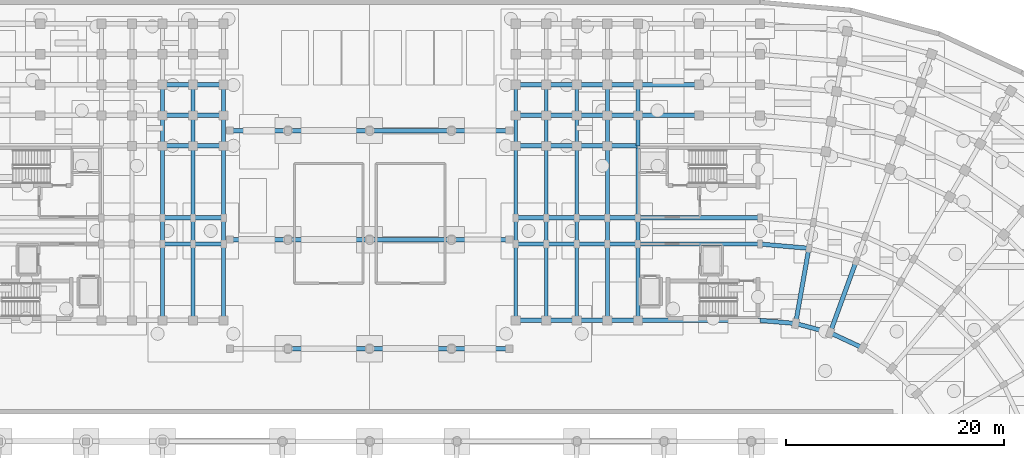
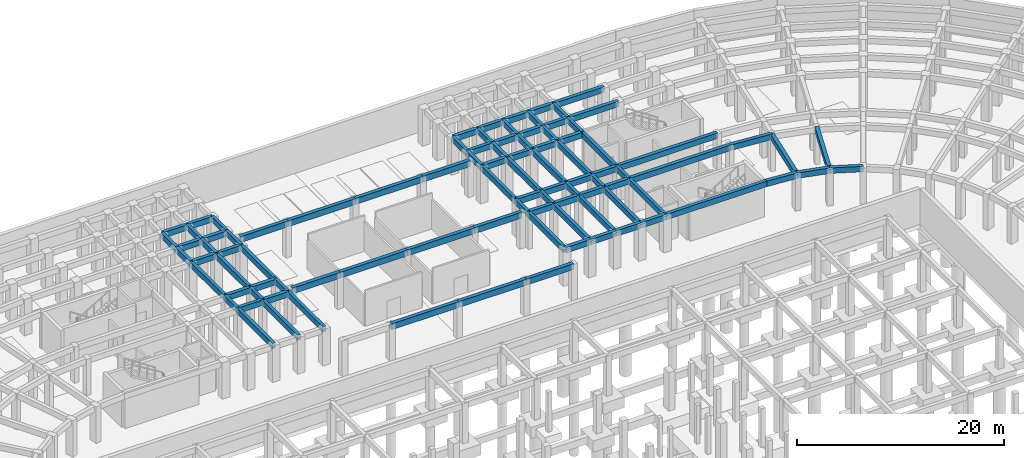
# One storey, part 25 of 53: 96 beams.
"""IFC4 building model written with IfcOpenShell, lengths in metres."""

from ifc_helpers import new_model, si_unit, direction, frame, origin, origin_2d, place, context, subcontext, project, spatial, rectangle, extrude, material, material_profile, profile_set, type_object, element, save


model = new_model("IFC4")

# Units and contexts
model_context = context("Model", 3, precision=1e-05, world=origin(), true_north=direction((0.0, 1.0)))
body_context = subcontext(model_context, "Body", "Model", "MODEL_VIEW")
ifc_project = project(units=[si_unit("LENGTHUNIT", "METRE"), si_unit("AREAUNIT", "SQUARE_METRE"), si_unit("VOLUMEUNIT", "CUBIC_METRE"), si_unit("PLANEANGLEUNIT", "RADIAN"), si_unit("MASSUNIT", "GRAM", prefix="KILO")], contexts=[model_context])

# Site, building, storey
site_placement = place(None, origin())
site = spatial("IfcSite", under=ifc_project, at=site_placement, CompositionType="ELEMENT")
building_placement = place(site_placement, origin())
building = spatial("IfcBuilding", under=site, at=building_placement, Name="Kiranvali Square Residences", CompositionType="ELEMENT")
storey_placement = place(building_placement, frame((0.0, 0.0, -4.5)))
storey = spatial("IfcBuildingStorey", under=building, at=storey_placement, Name="B1", CompositionType="ELEMENT", Elevation=-4.5)

# Beams
ifc_material_1 = material(Name="Concrete M40 (40 MPa)", Category="concrete")
ifc_material_profile_1 = material_profile(ifc_material_1, rectangle(XDim=0.35009765625, YDim=0.64990234375, at=origin_2d()), Name="RC 350x650")
ifc_profile_set_1 = profile_set([ifc_material_profile_1], Name="Concrete M40 (40 MPa)")
beam_type_1 = type_object("IfcBeamType", Name="BM-M40-350x650", PredefinedType="BEAM", material=ifc_profile_set_1)
beam_1_placement = place(storey_placement, frame((65.0, 106.60009765625, 3.955078125), z_axis=(0.0, 1.0, 0.0), x_axis=(-1.0, 0.0, 0.0)))
element("IfcBeam", 1, at=beam_1_placement, inside=storey, type_object=beam_type_1, Name="B1 beam BM-A-B1-A1T3-01", PredefinedType="BEAM", context=body_context, shape_type="SweptSolid", body=[
    extrude(rectangle(XDim=0.35009765625, YDim=0.64990234375, at=origin_2d()), origin(), (0.0, 0.0, 1.0), 7.0),
])
beam_2_placement = place(storey_placement, frame((65.0, 113.60009765625, 3.955078125), z_axis=(0.0, 1.0, 0.0), x_axis=(-1.0, 0.0, 0.0)))
element("IfcBeam", 2, at=beam_2_placement, inside=storey, type_object=beam_type_1, Name="B1 beam BM-A-B1-A1T3-12", PredefinedType="BEAM", context=body_context, shape_type="SweptSolid", body=[
    extrude(rectangle(XDim=0.35009765625, YDim=0.64990234375, at=origin_2d()), origin(), (0.0, 0.0, 1.0), 2.39990234375),
])
beam_3_placement = place(storey_placement, frame((65.0, 116.0, 3.955078125), z_axis=(0.0, 1.0, 0.0), x_axis=(-1.0, 0.0, 0.0)))
element("IfcBeam", 3, at=beam_3_placement, inside=storey, type_object=beam_type_1, Name="B1 beam BM-A-B1-A1T3-23", PredefinedType="BEAM", context=body_context, shape_type="SweptSolid", body=[
    extrude(rectangle(XDim=0.35009765625, YDim=0.64990234375, at=origin_2d()), origin(), (0.0, 0.0, 1.0), 6.60009765625),
])
beam_4_placement = place(storey_placement, frame((65.0, 122.60009765625, 3.955078125), z_axis=(0.0, 1.0, 0.0), x_axis=(-1.0, 0.0, 0.0)))
element("IfcBeam", 4, at=beam_4_placement, inside=storey, type_object=beam_type_1, Name="B1 beam BM-A-B1-A1T3-34", PredefinedType="BEAM", context=body_context, shape_type="SweptSolid", body=[
    extrude(rectangle(XDim=0.35009765625, YDim=0.64990234375, at=origin_2d()), origin(), (0.0, 0.0, 1.0), 2.7998046875),
])
beam_5_placement = place(storey_placement, frame((65.0, 125.39990234375, 3.955078125), z_axis=(0.0, 1.0, 0.0), x_axis=(-1.0, 0.0, 0.0)))
element("IfcBeam", 5, at=beam_5_placement, inside=storey, type_object=beam_type_1, Name="B1 beam BM-A-B1-A1T3-45", PredefinedType="BEAM", context=body_context, shape_type="SweptSolid", body=[
    extrude(rectangle(XDim=0.35009765625, YDim=0.64990234375, at=origin_2d()), origin(), (0.0, 0.0, 1.0), 2.800048828125),
])
beam_6_placement = place(storey_placement, frame((67.800048828125, 106.60009765625, 3.955078125), z_axis=(0.0, 1.0, 0.0), x_axis=(-1.0, 0.0, 0.0)))
element("IfcBeam", 6, at=beam_6_placement, inside=storey, type_object=beam_type_1, Name="B1 beam BM-A-B1-A1T4-01", PredefinedType="BEAM", context=body_context, shape_type="SweptSolid", body=[
    extrude(rectangle(XDim=0.35009765625, YDim=0.64990234375, at=origin_2d()), origin(), (0.0, 0.0, 1.0), 7.0),
])
beam_7_placement = place(storey_placement, frame((67.800048828125, 113.60009765625, 3.955078125), z_axis=(0.0, 1.0, 0.0), x_axis=(-1.0, 0.0, 0.0)))
element("IfcBeam", 7, at=beam_7_placement, inside=storey, type_object=beam_type_1, Name="B1 beam BM-A-B1-A1T4-12", PredefinedType="BEAM", context=body_context, shape_type="SweptSolid", body=[
    extrude(rectangle(XDim=0.35009765625, YDim=0.64990234375, at=origin_2d()), origin(), (0.0, 0.0, 1.0), 2.39990234375),
])
beam_8_placement = place(storey_placement, frame((67.800048828125, 116.0, 3.955078125), z_axis=(0.0, 1.0, 0.0), x_axis=(-1.0, 0.0, 0.0)))
element("IfcBeam", 8, at=beam_8_placement, inside=storey, type_object=beam_type_1, Name="B1 beam BM-A-B1-A1T4-23", PredefinedType="BEAM", context=body_context, shape_type="SweptSolid", body=[
    extrude(rectangle(XDim=0.35009765625, YDim=0.64990234375, at=origin_2d()), origin(), (0.0, 0.0, 1.0), 6.60009765625),
])
beam_9_placement = place(storey_placement, frame((67.800048828125, 122.60009765625, 3.955078125), z_axis=(0.0, 1.0, 0.0), x_axis=(-1.0, 0.0, 0.0)))
element("IfcBeam", 9, at=beam_9_placement, inside=storey, type_object=beam_type_1, Name="B1 beam BM-A-B1-A1T4-34", PredefinedType="BEAM", context=body_context, shape_type="SweptSolid", body=[
    extrude(rectangle(XDim=0.35009765625, YDim=0.64990234375, at=origin_2d()), origin(), (0.0, 0.0, 1.0), 2.7998046875),
])
beam_10_placement = place(storey_placement, frame((67.800048828125, 125.39990234375, 3.955078125), z_axis=(0.0, 1.0, 0.0), x_axis=(-1.0, 0.0, 0.0)))
element("IfcBeam", 10, at=beam_10_placement, inside=storey, type_object=beam_type_1, Name="B1 beam BM-A-B1-A1T4-45", PredefinedType="BEAM", context=body_context, shape_type="SweptSolid", body=[
    extrude(rectangle(XDim=0.35009765625, YDim=0.64990234375, at=origin_2d()), origin(), (0.0, 0.0, 1.0), 2.800048828125),
])
beam_11_placement = place(storey_placement, frame((70.60009765625, 106.60009765625, 3.955078125), z_axis=(0.0, 1.0, 0.0), x_axis=(-1.0, 0.0, 0.0)))
element("IfcBeam", 11, at=beam_11_placement, inside=storey, type_object=beam_type_1, Name="B1 beam BM-A-B1-A1T5-01", PredefinedType="BEAM", context=body_context, shape_type="SweptSolid", body=[
    extrude(rectangle(XDim=0.35009765625, YDim=0.64990234375, at=origin_2d()), origin(), (0.0, 0.0, 1.0), 7.0),
])
beam_12_placement = place(storey_placement, frame((70.60009765625, 113.60009765625, 3.955078125), z_axis=(0.0, 1.0, 0.0), x_axis=(-1.0, 0.0, 0.0)))
element("IfcBeam", 12, at=beam_12_placement, inside=storey, type_object=beam_type_1, Name="B1 beam BM-A-B1-A1T5-12", PredefinedType="BEAM", context=body_context, shape_type="SweptSolid", body=[
    extrude(rectangle(XDim=0.35009765625, YDim=0.64990234375, at=origin_2d()), origin(), (0.0, 0.0, 1.0), 2.39990234375),
])
beam_13_placement = place(storey_placement, frame((70.60009765625, 116.0, 3.955078125), z_axis=(0.0, 1.0, 0.0), x_axis=(-1.0, 0.0, 0.0)))
element("IfcBeam", 13, at=beam_13_placement, inside=storey, type_object=beam_type_1, Name="B1 beam BM-A-B1-A1T5-23", PredefinedType="BEAM", context=body_context, shape_type="SweptSolid", body=[
    extrude(rectangle(XDim=0.35009765625, YDim=0.64990234375, at=origin_2d()), origin(), (0.0, 0.0, 1.0), 6.60009765625),
])
beam_14_placement = place(storey_placement, frame((70.60009765625, 122.60009765625, 3.955078125), z_axis=(0.0, 1.0, 0.0), x_axis=(-1.0, 0.0, 0.0)))
element("IfcBeam", 14, at=beam_14_placement, inside=storey, type_object=beam_type_1, Name="B1 beam BM-A-B1-A1T5-34", PredefinedType="BEAM", context=body_context, shape_type="SweptSolid", body=[
    extrude(rectangle(XDim=0.35009765625, YDim=0.64990234375, at=origin_2d()), origin(), (0.0, 0.0, 1.0), 2.7998046875),
])
beam_15_placement = place(storey_placement, frame((70.60009765625, 125.39990234375, 3.955078125), z_axis=(0.0, 1.0, 0.0), x_axis=(-1.0, 0.0, 0.0)))
element("IfcBeam", 15, at=beam_15_placement, inside=storey, type_object=beam_type_1, Name="B1 beam BM-A-B1-A1T5-45", PredefinedType="BEAM", context=body_context, shape_type="SweptSolid", body=[
    extrude(rectangle(XDim=0.35009765625, YDim=0.64990234375, at=origin_2d()), origin(), (0.0, 0.0, 1.0), 2.800048828125),
])
beam_16_placement = place(storey_placement, frame((108.60009765625, 106.60009765625, 3.955078125), z_axis=(0.0, 1.0, 0.0), x_axis=(-1.0, 0.0, 0.0)))
element("IfcBeam", 16, at=beam_16_placement, inside=storey, type_object=beam_type_1, Name="B1 beam BM-B-B1-A1T1-01", PredefinedType="BEAM", context=body_context, shape_type="SweptSolid", body=[
    extrude(rectangle(XDim=0.35009765625, YDim=0.64990234375, at=origin_2d()), origin(), (0.0, 0.0, 1.0), 7.0),
])
beam_17_placement = place(storey_placement, frame((108.60009765625, 113.60009765625, 3.955078125), z_axis=(0.0, 1.0, 0.0), x_axis=(-1.0, 0.0, 0.0)))
element("IfcBeam", 17, at=beam_17_placement, inside=storey, type_object=beam_type_1, Name="B1 beam BM-B-B1-A1T1-12", PredefinedType="BEAM", context=body_context, shape_type="SweptSolid", body=[
    extrude(rectangle(XDim=0.35009765625, YDim=0.64990234375, at=origin_2d()), origin(), (0.0, 0.0, 1.0), 2.39990234375),
])
beam_18_placement = place(storey_placement, frame((108.60009765625, 116.0, 3.955078125), z_axis=(0.0, 1.0, 0.0), x_axis=(-1.0, 0.0, 0.0)))
element("IfcBeam", 18, at=beam_18_placement, inside=storey, type_object=beam_type_1, Name="B1 beam BM-B-B1-A1T1-23", PredefinedType="BEAM", context=body_context, shape_type="SweptSolid", body=[
    extrude(rectangle(XDim=0.35009765625, YDim=0.64990234375, at=origin_2d()), origin(), (0.0, 0.0, 1.0), 6.60009765625),
])
beam_19_placement = place(storey_placement, frame((108.60009765625, 122.60009765625, 3.955078125), z_axis=(0.0, 1.0, 0.0), x_axis=(-1.0, 0.0, 0.0)))
element("IfcBeam", 19, at=beam_19_placement, inside=storey, type_object=beam_type_1, Name="B1 beam BM-B-B1-A1T1-34", PredefinedType="BEAM", context=body_context, shape_type="SweptSolid", body=[
    extrude(rectangle(XDim=0.35009765625, YDim=0.64990234375, at=origin_2d()), origin(), (0.0, 0.0, 1.0), 2.7998046875),
])
beam_20_placement = place(storey_placement, frame((108.60009765625, 125.39990234375, 3.955078125), z_axis=(0.0, 1.0, 0.0), x_axis=(-1.0, 0.0, 0.0)))
element("IfcBeam", 20, at=beam_20_placement, inside=storey, type_object=beam_type_1, Name="B1 beam BM-B-B1-A1T1-45", PredefinedType="BEAM", context=body_context, shape_type="SweptSolid", body=[
    extrude(rectangle(XDim=0.35009765625, YDim=0.64990234375, at=origin_2d()), origin(), (0.0, 0.0, 1.0), 2.800048828125),
])
beam_21_placement = place(storey_placement, frame((105.800048828125, 106.60009765625, 3.955078125), z_axis=(0.0, 1.0, 0.0), x_axis=(-1.0, 0.0, 0.0)))
element("IfcBeam", 21, at=beam_21_placement, inside=storey, type_object=beam_type_1, Name="B1 beam BM-B-B1-A1T2-01", PredefinedType="BEAM", context=body_context, shape_type="SweptSolid", body=[
    extrude(rectangle(XDim=0.35009765625, YDim=0.64990234375, at=origin_2d()), origin(), (0.0, 0.0, 1.0), 7.0),
])
beam_22_placement = place(storey_placement, frame((105.800048828125, 113.60009765625, 3.955078125), z_axis=(0.0, 1.0, 0.0), x_axis=(-1.0, 0.0, 0.0)))
element("IfcBeam", 22, at=beam_22_placement, inside=storey, type_object=beam_type_1, Name="B1 beam BM-B-B1-A1T2-12", PredefinedType="BEAM", context=body_context, shape_type="SweptSolid", body=[
    extrude(rectangle(XDim=0.35009765625, YDim=0.64990234375, at=origin_2d()), origin(), (0.0, 0.0, 1.0), 2.39990234375),
])
beam_23_placement = place(storey_placement, frame((105.800048828125, 116.0, 3.955078125), z_axis=(0.0, 1.0, 0.0), x_axis=(-1.0, 0.0, 0.0)))
element("IfcBeam", 23, at=beam_23_placement, inside=storey, type_object=beam_type_1, Name="B1 beam BM-B-B1-A1T2-23", PredefinedType="BEAM", context=body_context, shape_type="SweptSolid", body=[
    extrude(rectangle(XDim=0.35009765625, YDim=0.64990234375, at=origin_2d()), origin(), (0.0, 0.0, 1.0), 6.60009765625),
])
beam_24_placement = place(storey_placement, frame((105.800048828125, 122.60009765625, 3.955078125), z_axis=(0.0, 1.0, 0.0), x_axis=(-1.0, 0.0, 0.0)))
element("IfcBeam", 24, at=beam_24_placement, inside=storey, type_object=beam_type_1, Name="B1 beam BM-B-B1-A1T2-34", PredefinedType="BEAM", context=body_context, shape_type="SweptSolid", body=[
    extrude(rectangle(XDim=0.35009765625, YDim=0.64990234375, at=origin_2d()), origin(), (0.0, 0.0, 1.0), 2.7998046875),
])
beam_25_placement = place(storey_placement, frame((105.800048828125, 125.39990234375, 3.955078125), z_axis=(0.0, 1.0, 0.0), x_axis=(-1.0, 0.0, 0.0)))
element("IfcBeam", 25, at=beam_25_placement, inside=storey, type_object=beam_type_1, Name="B1 beam BM-B-B1-A1T2-45", PredefinedType="BEAM", context=body_context, shape_type="SweptSolid", body=[
    extrude(rectangle(XDim=0.35009765625, YDim=0.64990234375, at=origin_2d()), origin(), (0.0, 0.0, 1.0), 2.800048828125),
])
beam_26_placement = place(storey_placement, frame((103.0, 106.60009765625, 3.955078125), z_axis=(0.0, 1.0, 0.0), x_axis=(-1.0, 0.0, 0.0)))
element("IfcBeam", 26, at=beam_26_placement, inside=storey, type_object=beam_type_1, Name="B1 beam BM-B-B1-A1T3-01", PredefinedType="BEAM", context=body_context, shape_type="SweptSolid", body=[
    extrude(rectangle(XDim=0.35009765625, YDim=0.64990234375, at=origin_2d()), origin(), (0.0, 0.0, 1.0), 7.0),
])
beam_27_placement = place(storey_placement, frame((103.0, 113.60009765625, 3.955078125), z_axis=(0.0, 1.0, 0.0), x_axis=(-1.0, 0.0, 0.0)))
element("IfcBeam", 27, at=beam_27_placement, inside=storey, type_object=beam_type_1, Name="B1 beam BM-B-B1-A1T3-12", PredefinedType="BEAM", context=body_context, shape_type="SweptSolid", body=[
    extrude(rectangle(XDim=0.35009765625, YDim=0.64990234375, at=origin_2d()), origin(), (0.0, 0.0, 1.0), 2.39990234375),
])
beam_28_placement = place(storey_placement, frame((103.0, 116.0, 3.955078125), z_axis=(0.0, 1.0, 0.0), x_axis=(-1.0, 0.0, 0.0)))
element("IfcBeam", 28, at=beam_28_placement, inside=storey, type_object=beam_type_1, Name="B1 beam BM-B-B1-A1T3-23", PredefinedType="BEAM", context=body_context, shape_type="SweptSolid", body=[
    extrude(rectangle(XDim=0.35009765625, YDim=0.64990234375, at=origin_2d()), origin(), (0.0, 0.0, 1.0), 6.60009765625),
])
beam_29_placement = place(storey_placement, frame((103.0, 122.60009765625, 3.955078125), z_axis=(0.0, 1.0, 0.0), x_axis=(-1.0, 0.0, 0.0)))
element("IfcBeam", 29, at=beam_29_placement, inside=storey, type_object=beam_type_1, Name="B1 beam BM-B-B1-A1T3-34", PredefinedType="BEAM", context=body_context, shape_type="SweptSolid", body=[
    extrude(rectangle(XDim=0.35009765625, YDim=0.64990234375, at=origin_2d()), origin(), (0.0, 0.0, 1.0), 2.7998046875),
])
beam_30_placement = place(storey_placement, frame((103.0, 125.39990234375, 3.955078125), z_axis=(0.0, 1.0, 0.0), x_axis=(-1.0, 0.0, 0.0)))
element("IfcBeam", 30, at=beam_30_placement, inside=storey, type_object=beam_type_1, Name="B1 beam BM-B-B1-A1T3-45", PredefinedType="BEAM", context=body_context, shape_type="SweptSolid", body=[
    extrude(rectangle(XDim=0.35009765625, YDim=0.64990234375, at=origin_2d()), origin(), (0.0, 0.0, 1.0), 2.800048828125),
])
beam_31_placement = place(storey_placement, frame((100.199951171875, 106.60009765625, 3.955078125), z_axis=(0.0, 1.0, 0.0), x_axis=(-1.0, 0.0, 0.0)))
element("IfcBeam", 31, at=beam_31_placement, inside=storey, type_object=beam_type_1, Name="B1 beam BM-B-B1-A1T4-01", PredefinedType="BEAM", context=body_context, shape_type="SweptSolid", body=[
    extrude(rectangle(XDim=0.35009765625, YDim=0.64990234375, at=origin_2d()), origin(), (0.0, 0.0, 1.0), 7.0),
])
beam_32_placement = place(storey_placement, frame((100.199951171875, 113.60009765625, 3.955078125), z_axis=(0.0, 1.0, 0.0), x_axis=(-1.0, 0.0, 0.0)))
element("IfcBeam", 32, at=beam_32_placement, inside=storey, type_object=beam_type_1, Name="B1 beam BM-B-B1-A1T4-12", PredefinedType="BEAM", context=body_context, shape_type="SweptSolid", body=[
    extrude(rectangle(XDim=0.35009765625, YDim=0.64990234375, at=origin_2d()), origin(), (0.0, 0.0, 1.0), 2.39990234375),
])
beam_33_placement = place(storey_placement, frame((100.199951171875, 116.0, 3.955078125), z_axis=(0.0, 1.0, 0.0), x_axis=(-1.0, 0.0, 0.0)))
element("IfcBeam", 33, at=beam_33_placement, inside=storey, type_object=beam_type_1, Name="B1 beam BM-B-B1-A1T4-23", PredefinedType="BEAM", context=body_context, shape_type="SweptSolid", body=[
    extrude(rectangle(XDim=0.35009765625, YDim=0.64990234375, at=origin_2d()), origin(), (0.0, 0.0, 1.0), 6.60009765625),
])
beam_34_placement = place(storey_placement, frame((100.199951171875, 122.60009765625, 3.955078125), z_axis=(0.0, 1.0, 0.0), x_axis=(-1.0, 0.0, 0.0)))
element("IfcBeam", 34, at=beam_34_placement, inside=storey, type_object=beam_type_1, Name="B1 beam BM-B-B1-A1T4-34", PredefinedType="BEAM", context=body_context, shape_type="SweptSolid", body=[
    extrude(rectangle(XDim=0.35009765625, YDim=0.64990234375, at=origin_2d()), origin(), (0.0, 0.0, 1.0), 2.7998046875),
])
beam_35_placement = place(storey_placement, frame((100.199951171875, 125.39990234375, 3.955078125), z_axis=(0.0, 1.0, 0.0), x_axis=(-1.0, 0.0, 0.0)))
element("IfcBeam", 35, at=beam_35_placement, inside=storey, type_object=beam_type_1, Name="B1 beam BM-B-B1-A1T4-45", PredefinedType="BEAM", context=body_context, shape_type="SweptSolid", body=[
    extrude(rectangle(XDim=0.35009765625, YDim=0.64990234375, at=origin_2d()), origin(), (0.0, 0.0, 1.0), 2.800048828125),
])
beam_36_placement = place(storey_placement, frame((97.39990234375, 106.60009765625, 3.955078125), z_axis=(0.0, 1.0, 0.0), x_axis=(-1.0, 0.0, 0.0)))
element("IfcBeam", 36, at=beam_36_placement, inside=storey, type_object=beam_type_1, Name="B1 beam BM-B-B1-A1T5-01", PredefinedType="BEAM", context=body_context, shape_type="SweptSolid", body=[
    extrude(rectangle(XDim=0.35009765625, YDim=0.64990234375, at=origin_2d()), origin(), (0.0, 0.0, 1.0), 7.0),
])
beam_37_placement = place(storey_placement, frame((97.39990234375, 113.60009765625, 3.955078125), z_axis=(0.0, 1.0, 0.0), x_axis=(-1.0, 0.0, 0.0)))
element("IfcBeam", 37, at=beam_37_placement, inside=storey, type_object=beam_type_1, Name="B1 beam BM-B-B1-A1T5-12", PredefinedType="BEAM", context=body_context, shape_type="SweptSolid", body=[
    extrude(rectangle(XDim=0.35009765625, YDim=0.64990234375, at=origin_2d()), origin(), (0.0, 0.0, 1.0), 2.39990234375),
])
beam_38_placement = place(storey_placement, frame((97.39990234375, 116.0, 3.955078125), z_axis=(0.0, 1.0, 0.0), x_axis=(-1.0, 0.0, 0.0)))
element("IfcBeam", 38, at=beam_38_placement, inside=storey, type_object=beam_type_1, Name="B1 beam BM-B-B1-A1T5-23", PredefinedType="BEAM", context=body_context, shape_type="SweptSolid", body=[
    extrude(rectangle(XDim=0.35009765625, YDim=0.64990234375, at=origin_2d()), origin(), (0.0, 0.0, 1.0), 6.60009765625),
])
beam_39_placement = place(storey_placement, frame((97.39990234375, 122.60009765625, 3.955078125), z_axis=(0.0, 1.0, 0.0), x_axis=(-1.0, 0.0, 0.0)))
element("IfcBeam", 39, at=beam_39_placement, inside=storey, type_object=beam_type_1, Name="B1 beam BM-B-B1-A1T5-34", PredefinedType="BEAM", context=body_context, shape_type="SweptSolid", body=[
    extrude(rectangle(XDim=0.35009765625, YDim=0.64990234375, at=origin_2d()), origin(), (0.0, 0.0, 1.0), 2.7998046875),
])
beam_40_placement = place(storey_placement, frame((97.39990234375, 125.39990234375, 3.955078125), z_axis=(0.0, 1.0, 0.0), x_axis=(-1.0, 0.0, 0.0)))
element("IfcBeam", 40, at=beam_40_placement, inside=storey, type_object=beam_type_1, Name="B1 beam BM-B-B1-A1T5-45", PredefinedType="BEAM", context=body_context, shape_type="SweptSolid", body=[
    extrude(rectangle(XDim=0.35009765625, YDim=0.64990234375, at=origin_2d()), origin(), (0.0, 0.0, 1.0), 2.800048828125),
])
ifc_material_2 = material(Name="Concrete M45 (45 MPa)", Category="concrete")
ifc_material_profile_2 = material_profile(ifc_material_2, rectangle(XDim=0.39990234375, YDim=0.64990234375, at=origin_2d()), Name="RC 400x650")
ifc_profile_set_2 = profile_set([ifc_material_profile_2], Name="Concrete M45 (45 MPa)")
beam_type_2 = type_object("IfcBeamType", Name="BM-M45-400x650", PredefinedType="BEAM", material=ifc_profile_set_2)
for number, where, z_axis, x_axis, name in (
    (41, (65.0, 113.60009765625, 3.955078125), (1.0, 0.0, 0.0), (0.0, 1.0, 0.0), "B1 beam BM-A-B1-A1U3-R1"),
    (42, (67.800048828125, 113.60009765625, 3.955078125), (1.0, 0.0, 0.0), (0.0, 1.0, 0.0), "B1 beam BM-A-B1-A1U4-R1"),
    (43, (65.0, 116.0, 3.955078125), (1.0, 0.0, 0.0), (0.0, 1.0, 0.0), "B1 beam BM-A-B1-A1U3-R2"),
    (44, (67.800048828125, 116.0, 3.955078125), (1.0, 0.0, 0.0), (0.0, 1.0, 0.0), "B1 beam BM-A-B1-A1U4-R2"),
    (45, (65.0, 122.60009765625, 3.955078125), (1.0, 0.0, 0.0), (0.0, 1.0, 0.0), "B1 beam BM-A-B1-A1U3-R3"),
    (46, (67.800048828125, 122.60009765625, 3.955078125), (1.0, 0.0, 0.0), (0.0, 1.0, 0.0), "B1 beam BM-A-B1-A1U4-R3"),
    (47, (65.0, 125.39990234375, 3.955078125), (1.0, 0.0, 0.0), (0.0, 1.0, 0.0), "B1 beam BM-A-B1-A1U4-R4"),
    (48, (67.800048828125, 125.39990234375, 3.955078125), (1.0, 0.0, 0.0), (0.0, 1.0, 0.0), "B1 beam BM-A-B1-A1U5-R4"),
    (49, (65.0, 128.199951171875, 3.955078125), (1.0, 0.0, 0.0), (0.0, 1.0, 0.0), "B1 beam BM-A-B1-A1U4-R5"),
    (50, (67.800048828125, 128.199951171875, 3.955078125), (1.0, 0.0, 0.0), (0.0, 1.0, 0.0), "B1 beam BM-A-B1-A1U5-R5"),
):
    element("IfcBeam", number, at=place(storey_placement, frame(where, z_axis=z_axis, x_axis=x_axis)), inside=storey, type_object=beam_type_2, Name=name, PredefinedType="BEAM", context=body_context, shape_type="SweptSolid", body=[
        extrude(rectangle(XDim=0.39990234375, YDim=0.64990234375, at=origin_2d()), origin(), (0.0, 0.0, 1.0), 2.800048828125),
    ])
beam_41_placement = place(storey_placement, frame((119.800048828125, 106.60009765625, 3.955078125), z_axis=(0.996194040944, -0.087163253657, 0.0), x_axis=(0.087163253657, 0.996194040944, 0.0)))
element("IfcBeam", 51, at=beam_41_placement, inside=storey, type_object=beam_type_2, Name="B1 beam BM-B-B1-C00-R0", PredefinedType="BEAM", context=body_context, shape_type="SweptSolid", body=[
    extrude(rectangle(XDim=0.39990234375, YDim=0.64990234375, at=origin_2d()), origin(), (0.0, 0.0, 1.0), 3.277099609375),
])
beam_42_placement = place(storey_placement, frame((119.800048828125, 113.60009765625, 3.955078125), z_axis=(0.996191949488, -0.087187153726, 0.0), x_axis=(0.087187153726, 0.996191949488, 0.0)))
element("IfcBeam", 52, at=beam_42_placement, inside=storey, type_object=beam_type_2, Name="B1 beam BM-B-B1-C00-R1", PredefinedType="BEAM", context=body_context, shape_type="SweptSolid", body=[
    extrude(rectangle(XDim=0.39990234375, YDim=0.64990234375, at=origin_2d()), origin(), (0.0, 0.0, 1.0), 4.4970703125),
])
beam_43_placement = place(storey_placement, frame((123.064697265625, 106.314453125, 3.955078125), z_axis=(0.965925105099, -0.258821736607, 0.0), x_axis=(0.258821736607, 0.965925105099, 0.0)))
element("IfcBeam", 53, at=beam_43_placement, inside=storey, type_object=beam_type_2, Name="B1 beam BM-B-B1-C01-R0", PredefinedType="BEAM", context=body_context, shape_type="SweptSolid", body=[
    extrude(rectangle(XDim=0.39990234375, YDim=0.64990234375, at=origin_2d()), origin(), (0.0, 0.0, 1.0), 3.27685546875),
])
beam_44_placement = place(storey_placement, frame((126.22998046875, 105.46630859375, 3.955078125), z_axis=(0.90629730464, -0.422640740585, 0.0), x_axis=(0.422640740585, 0.90629730464, 0.0)))
element("IfcBeam", 54, at=beam_44_placement, inside=storey, type_object=beam_type_2, Name="B1 beam BM-B-B1-C02-R0", PredefinedType="BEAM", context=body_context, shape_type="SweptSolid", body=[
    extrude(rectangle(XDim=0.39990234375, YDim=0.64990234375, at=origin_2d()), origin(), (0.0, 0.0, 1.0), 3.277099609375),
])
beam_45_placement = place(storey_placement, frame((123.064697265625, 106.314453125, 3.955078125), z_axis=(0.173622177865, 0.984812337125, 0.0), x_axis=(-0.984812337125, 0.173622177865, 0.0)))
element("IfcBeam", 55, at=beam_45_placement, inside=storey, type_object=beam_type_2, Name="B1 beam BM-B-B1-RAD01-01", PredefinedType="BEAM", context=body_context, shape_type="SweptSolid", body=[
    extrude(rectangle(XDim=0.39990234375, YDim=0.64990234375, at=origin_2d()), origin(), (0.0, 0.0, 1.0), 6.999755859375),
])
beam_46_placement = place(storey_placement, frame((126.22998046875, 105.46630859375, 3.955078125), z_axis=(0.342006283793, 0.939697665127, 0.0), x_axis=(-0.939697665127, 0.342006283793, 0.0)))
element("IfcBeam", 56, at=beam_46_placement, inside=storey, type_object=beam_type_2, Name="B1 beam BM-B-B1-RAD02-01", PredefinedType="BEAM", context=body_context, shape_type="SweptSolid", body=[
    extrude(rectangle(XDim=0.39990234375, YDim=0.64990234375, at=origin_2d()), origin(), (0.0, 0.0, 1.0), 7.0),
])
beam_47_placement = place(storey_placement, frame((119.800048828125, 106.60009765625, 3.955078125), z_axis=(-1.0, 0.0, 0.0), x_axis=(0.0, -1.0, 0.0)))
element("IfcBeam", 57, at=beam_47_placement, inside=storey, type_object=beam_type_2, Name="B1 beam BM-B-B1-A1U0-R0", PredefinedType="BEAM", context=body_context, shape_type="SweptSolid", body=[
    extrude(rectangle(XDim=0.39990234375, YDim=0.64990234375, at=origin_2d()), origin(), (0.0, 0.0, 1.0), 11.199951171875),
])
for number, where, z_axis, x_axis, name in (
    (58, (108.60009765625, 106.60009765625, 3.955078125), (-1.0, 0.0, 0.0), (0.0, -1.0, 0.0), "B1 beam BM-B-B1-A1U1-R0"),
    (59, (105.800048828125, 106.60009765625, 3.955078125), (-1.0, 0.0, 0.0), (0.0, -1.0, 0.0), "B1 beam BM-B-B1-A1U2-R0"),
    (60, (103.0, 106.60009765625, 3.955078125), (-1.0, 0.0, 0.0), (0.0, -1.0, 0.0), "B1 beam BM-B-B1-A1U3-R0"),
    (61, (100.199951171875, 106.60009765625, 3.955078125), (-1.0, 0.0, 0.0), (0.0, -1.0, 0.0), "B1 beam BM-B-B1-A1U4-R0"),
):
    element("IfcBeam", number, at=place(storey_placement, frame(where, z_axis=z_axis, x_axis=x_axis)), inside=storey, type_object=beam_type_2, Name=name, PredefinedType="BEAM", context=body_context, shape_type="SweptSolid", body=[
        extrude(rectangle(XDim=0.39990234375, YDim=0.64990234375, at=origin_2d()), origin(), (0.0, 0.0, 1.0), 2.800048828125),
    ])
beam_48_placement = place(storey_placement, frame((119.800048828125, 113.60009765625, 3.955078125), z_axis=(-1.0, 0.0, 0.0), x_axis=(0.0, -1.0, 0.0)))
element("IfcBeam", 62, at=beam_48_placement, inside=storey, type_object=beam_type_2, Name="B1 beam BM-B-B1-A1U0-R1", PredefinedType="BEAM", context=body_context, shape_type="SweptSolid", body=[
    extrude(rectangle(XDim=0.39990234375, YDim=0.64990234375, at=origin_2d()), origin(), (0.0, 0.0, 1.0), 11.199951171875),
])
for number, where, z_axis, x_axis, name in (
    (63, (108.60009765625, 113.60009765625, 3.955078125), (-1.0, 0.0, 0.0), (0.0, -1.0, 0.0), "B1 beam BM-B-B1-A1U1-R1"),
    (64, (105.800048828125, 113.60009765625, 3.955078125), (-1.0, 0.0, 0.0), (0.0, -1.0, 0.0), "B1 beam BM-B-B1-A1U2-R1"),
    (65, (103.0, 113.60009765625, 3.955078125), (-1.0, 0.0, 0.0), (0.0, -1.0, 0.0), "B1 beam BM-B-B1-A1U3-R1"),
    (66, (100.199951171875, 113.60009765625, 3.955078125), (-1.0, 0.0, 0.0), (0.0, -1.0, 0.0), "B1 beam BM-B-B1-A1U4-R1"),
):
    element("IfcBeam", number, at=place(storey_placement, frame(where, z_axis=z_axis, x_axis=x_axis)), inside=storey, type_object=beam_type_2, Name=name, PredefinedType="BEAM", context=body_context, shape_type="SweptSolid", body=[
        extrude(rectangle(XDim=0.39990234375, YDim=0.64990234375, at=origin_2d()), origin(), (0.0, 0.0, 1.0), 2.800048828125),
    ])
beam_49_placement = place(storey_placement, frame((119.800048828125, 116.0, 3.955078125), z_axis=(-1.0, 0.0, 0.0), x_axis=(0.0, -1.0, 0.0)))
element("IfcBeam", 67, at=beam_49_placement, inside=storey, type_object=beam_type_2, Name="B1 beam BM-B-B1-A1U0-R2", PredefinedType="BEAM", context=body_context, shape_type="SweptSolid", body=[
    extrude(rectangle(XDim=0.39990234375, YDim=0.64990234375, at=origin_2d()), origin(), (0.0, 0.0, 1.0), 11.199951171875),
])
for number, where, z_axis, x_axis, name in (
    (68, (108.60009765625, 116.0, 3.955078125), (-1.0, 0.0, 0.0), (0.0, -1.0, 0.0), "B1 beam BM-B-B1-A1U1-R2"),
    (69, (105.800048828125, 116.0, 3.955078125), (-1.0, 0.0, 0.0), (0.0, -1.0, 0.0), "B1 beam BM-B-B1-A1U2-R2"),
    (70, (103.0, 116.0, 3.955078125), (-1.0, 0.0, 0.0), (0.0, -1.0, 0.0), "B1 beam BM-B-B1-A1U3-R2"),
    (71, (100.199951171875, 116.0, 3.955078125), (-1.0, 0.0, 0.0), (0.0, -1.0, 0.0), "B1 beam BM-B-B1-A1U4-R2"),
    (72, (108.60009765625, 122.60009765625, 3.955078125), (-1.0, 0.0, 0.0), (0.0, -1.0, 0.0), "B1 beam BM-B-B1-A1U1-R3"),
    (73, (105.800048828125, 122.60009765625, 3.955078125), (-1.0, 0.0, 0.0), (0.0, -1.0, 0.0), "B1 beam BM-B-B1-A1U2-R3"),
    (74, (103.0, 122.60009765625, 3.955078125), (-1.0, 0.0, 0.0), (0.0, -1.0, 0.0), "B1 beam BM-B-B1-A1U3-R3"),
    (75, (100.199951171875, 122.60009765625, 3.955078125), (-1.0, 0.0, 0.0), (0.0, -1.0, 0.0), "B1 beam BM-B-B1-A1U4-R3"),
):
    element("IfcBeam", number, at=place(storey_placement, frame(where, z_axis=z_axis, x_axis=x_axis)), inside=storey, type_object=beam_type_2, Name=name, PredefinedType="BEAM", context=body_context, shape_type="SweptSolid", body=[
        extrude(rectangle(XDim=0.39990234375, YDim=0.64990234375, at=origin_2d()), origin(), (0.0, 0.0, 1.0), 2.800048828125),
    ])
beam_50_placement = place(storey_placement, frame((114.199951171875, 125.39990234375, 3.955078125), z_axis=(-1.0, 0.0, 0.0), x_axis=(0.0, -1.0, 0.0)))
element("IfcBeam", 76, at=beam_50_placement, inside=storey, type_object=beam_type_2, Name="B1 beam BM-B-B1-A1U1-R4", PredefinedType="BEAM", context=body_context, shape_type="SweptSolid", body=[
    extrude(rectangle(XDim=0.39990234375, YDim=0.64990234375, at=origin_2d()), origin(), (0.0, 0.0, 1.0), 5.599853515625),
])
for number, where, z_axis, x_axis, name in (
    (77, (108.60009765625, 125.39990234375, 3.955078125), (-1.0, 0.0, 0.0), (0.0, -1.0, 0.0), "B1 beam BM-B-B1-A1U2-R4"),
    (78, (105.800048828125, 125.39990234375, 3.955078125), (-1.0, 0.0, 0.0), (0.0, -1.0, 0.0), "B1 beam BM-B-B1-A1U3-R4"),
    (79, (103.0, 125.39990234375, 3.955078125), (-1.0, 0.0, 0.0), (0.0, -1.0, 0.0), "B1 beam BM-B-B1-A1U4-R4"),
    (80, (100.199951171875, 125.39990234375, 3.955078125), (-1.0, 0.0, 0.0), (0.0, -1.0, 0.0), "B1 beam BM-B-B1-A1U5-R4"),
):
    element("IfcBeam", number, at=place(storey_placement, frame(where, z_axis=z_axis, x_axis=x_axis)), inside=storey, type_object=beam_type_2, Name=name, PredefinedType="BEAM", context=body_context, shape_type="SweptSolid", body=[
        extrude(rectangle(XDim=0.39990234375, YDim=0.64990234375, at=origin_2d()), origin(), (0.0, 0.0, 1.0), 2.800048828125),
    ])
beam_51_placement = place(storey_placement, frame((114.199951171875, 128.199951171875, 3.955078125), z_axis=(-1.0, 0.0, 0.0), x_axis=(0.0, -1.0, 0.0)))
element("IfcBeam", 81, at=beam_51_placement, inside=storey, type_object=beam_type_2, Name="B1 beam BM-B-B1-A1U1-R5", PredefinedType="BEAM", context=body_context, shape_type="SweptSolid", body=[
    extrude(rectangle(XDim=0.39990234375, YDim=0.64990234375, at=origin_2d()), origin(), (0.0, 0.0, 1.0), 5.599853515625),
])
for number, where, z_axis, x_axis, name in (
    (82, (108.60009765625, 128.199951171875, 3.955078125), (-1.0, 0.0, 0.0), (0.0, -1.0, 0.0), "B1 beam BM-B-B1-A1U2-R5"),
    (83, (105.800048828125, 128.199951171875, 3.955078125), (-1.0, 0.0, 0.0), (0.0, -1.0, 0.0), "B1 beam BM-B-B1-A1U3-R5"),
    (84, (103.0, 128.199951171875, 3.955078125), (-1.0, 0.0, 0.0), (0.0, -1.0, 0.0), "B1 beam BM-B-B1-A1U4-R5"),
    (85, (100.199951171875, 128.199951171875, 3.955078125), (-1.0, 0.0, 0.0), (0.0, -1.0, 0.0), "B1 beam BM-B-B1-A1U5-R5"),
):
    element("IfcBeam", number, at=place(storey_placement, frame(where, z_axis=z_axis, x_axis=x_axis)), inside=storey, type_object=beam_type_2, Name=name, PredefinedType="BEAM", context=body_context, shape_type="SweptSolid", body=[
        extrude(rectangle(XDim=0.39990234375, YDim=0.64990234375, at=origin_2d()), origin(), (0.0, 0.0, 1.0), 2.800048828125),
    ])
ifc_material_profile_3 = material_profile(ifc_material_2, rectangle(XDim=0.39990234375, YDim=0.699951171875, at=origin_2d()), Name="RC 400x700")
ifc_profile_set_3 = profile_set([ifc_material_profile_3], Name="Concrete M45 (45 MPa)")
beam_type_3 = type_object("IfcBeamType", Name="BM-M45-400x700", PredefinedType="BEAM", material=ifc_profile_set_3)
for number, where, z_axis, x_axis, name in (
    (86, (76.5, 104.0, 3.85009765625), (1.0, 0.0, 0.0), (0.0, 1.0, 0.0), "B1 beam BM-B1-NG-104-2"),
    (87, (84.0, 104.0, 3.85009765625), (1.0, 0.0, 0.0), (0.0, 1.0, 0.0), "B1 beam BM-B1-NG-104-3"),
):
    element("IfcBeam", number, at=place(storey_placement, frame(where, z_axis=z_axis, x_axis=x_axis)), inside=storey, type_object=beam_type_3, Name=name, PredefinedType="BEAM", context=body_context, shape_type="SweptSolid", body=[
        extrude(rectangle(XDim=0.39990234375, YDim=0.699951171875, at=origin_2d()), origin(), (0.0, 0.0, 1.0), 7.5),
    ])
for number, where, z_axis, x_axis, name in (
    (88, (91.5, 104.0, 3.85009765625), (1.0, 0.0, 0.0), (0.0, 1.0, 0.0), "B1 beam BM-B1-NG-104-4"),
    (89, (71.199951171875, 114.0, 3.85009765625), (1.0, 0.0, 0.0), (0.0, 1.0, 0.0), "B1 beam BM-B1-NG-114-1"),
):
    element("IfcBeam", number, at=place(storey_placement, frame(where, z_axis=z_axis, x_axis=x_axis)), inside=storey, type_object=beam_type_3, Name=name, PredefinedType="BEAM", context=body_context, shape_type="SweptSolid", body=[
        extrude(rectangle(XDim=0.39990234375, YDim=0.699951171875, at=origin_2d()), origin(), (0.0, 0.0, 1.0), 5.300048828125),
    ])
for number, where, z_axis, x_axis, name in (
    (90, (76.5, 114.0, 3.85009765625), (1.0, 0.0, 0.0), (0.0, 1.0, 0.0), "B1 beam BM-B1-NG-114-2"),
    (91, (84.0, 114.0, 3.85009765625), (1.0, 0.0, 0.0), (0.0, 1.0, 0.0), "B1 beam BM-B1-NG-114-3"),
):
    element("IfcBeam", number, at=place(storey_placement, frame(where, z_axis=z_axis, x_axis=x_axis)), inside=storey, type_object=beam_type_3, Name=name, PredefinedType="BEAM", context=body_context, shape_type="SweptSolid", body=[
        extrude(rectangle(XDim=0.39990234375, YDim=0.699951171875, at=origin_2d()), origin(), (0.0, 0.0, 1.0), 7.5),
    ])
for number, where, z_axis, x_axis, name in (
    (92, (91.5, 114.0, 3.85009765625), (1.0, 0.0, 0.0), (0.0, 1.0, 0.0), "B1 beam BM-B1-NG-114-4"),
    (93, (71.199951171875, 124.0, 3.85009765625), (1.0, 0.0, 0.0), (0.0, 1.0, 0.0), "B1 beam BM-B1-NG-124-1"),
):
    element("IfcBeam", number, at=place(storey_placement, frame(where, z_axis=z_axis, x_axis=x_axis)), inside=storey, type_object=beam_type_3, Name=name, PredefinedType="BEAM", context=body_context, shape_type="SweptSolid", body=[
        extrude(rectangle(XDim=0.39990234375, YDim=0.699951171875, at=origin_2d()), origin(), (0.0, 0.0, 1.0), 5.300048828125),
    ])
for number, where, z_axis, x_axis, name in (
    (94, (76.5, 124.0, 3.85009765625), (1.0, 0.0, 0.0), (0.0, 1.0, 0.0), "B1 beam BM-B1-NG-124-2"),
    (95, (84.0, 124.0, 3.85009765625), (1.0, 0.0, 0.0), (0.0, 1.0, 0.0), "B1 beam BM-B1-NG-124-3"),
):
    element("IfcBeam", number, at=place(storey_placement, frame(where, z_axis=z_axis, x_axis=x_axis)), inside=storey, type_object=beam_type_3, Name=name, PredefinedType="BEAM", context=body_context, shape_type="SweptSolid", body=[
        extrude(rectangle(XDim=0.39990234375, YDim=0.699951171875, at=origin_2d()), origin(), (0.0, 0.0, 1.0), 7.5),
    ])
beam_52_placement = place(storey_placement, frame((91.5, 124.0, 3.85009765625), z_axis=(1.0, 0.0, 0.0), x_axis=(0.0, 1.0, 0.0)))
element("IfcBeam", 96, at=beam_52_placement, inside=storey, type_object=beam_type_3, Name="B1 beam BM-B1-NG-124-4", PredefinedType="BEAM", context=body_context, shape_type="SweptSolid", body=[
    extrude(rectangle(XDim=0.39990234375, YDim=0.699951171875, at=origin_2d()), origin(), (0.0, 0.0, 1.0), 5.300048828125),
])

save(model, "model.ifc")
